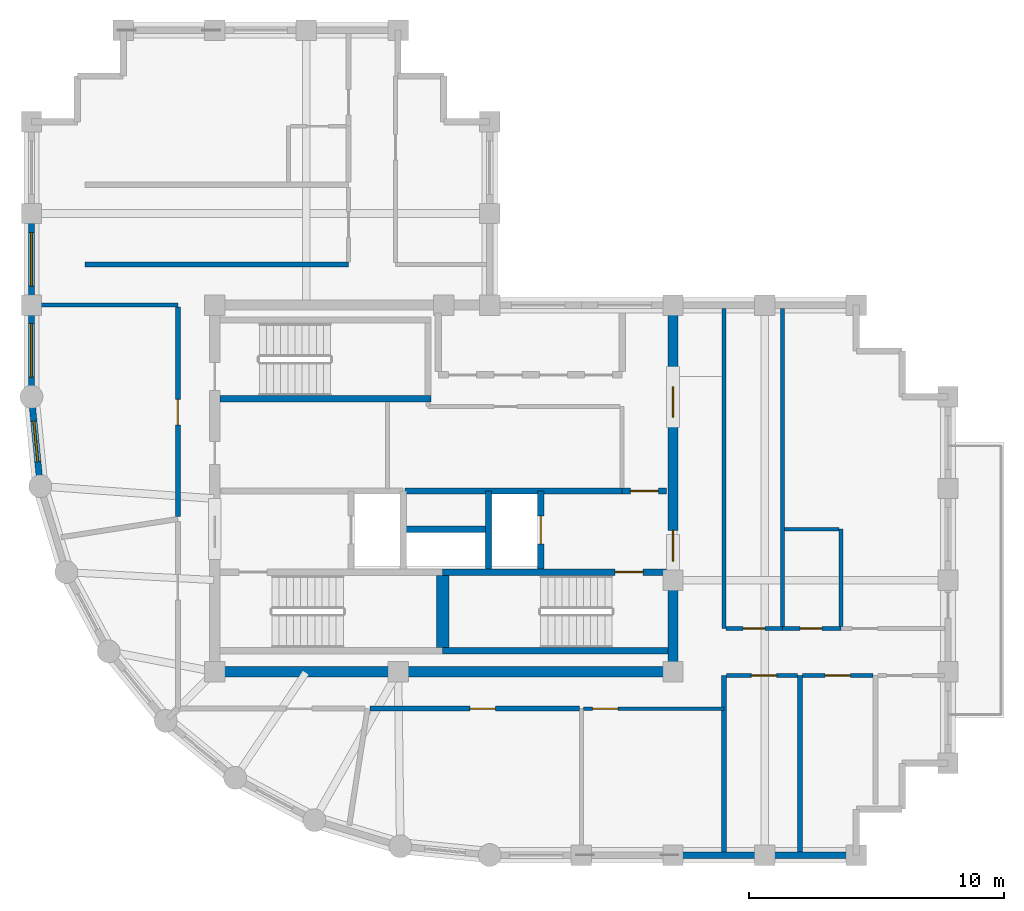
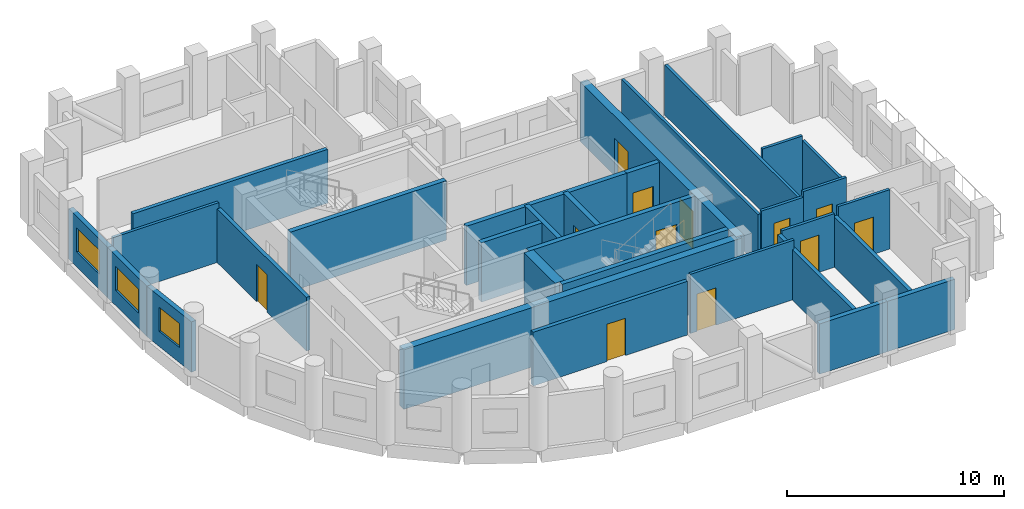
# One storey, part 3 of 6: 31 walls, 12 doors, 3 windows, 15 openings.
"""IFC4 building model written with IfcOpenShell, lengths in metres."""

from ifc_helpers import new_model, si_unit, direction, frame, frame_2d, origin, place, context, subcontext, project, spatial, rectangle, extrude, material, layer, layer_set, type_object, element, fill, save


model = new_model("IFC4")

# Units and contexts
model_context = context("Model", 3, precision=1e-05, world=origin(), true_north=direction((0.0, 1.0)))
body_context = subcontext(model_context, "Body", "Model", "MODEL_VIEW")
ifc_project = project(units=[si_unit("LENGTHUNIT", "METRE"), si_unit("AREAUNIT", "SQUARE_METRE"), si_unit("VOLUMEUNIT", "CUBIC_METRE"), si_unit("PLANEANGLEUNIT", "RADIAN"), si_unit("MASSUNIT", "GRAM", prefix="KILO")], contexts=[model_context])

# Site, building, storey
site_placement = place(None, origin())
site = spatial("IfcSite", under=ifc_project, at=site_placement, CompositionType="ELEMENT")
building_placement = place(site_placement, origin())
building = spatial("IfcBuilding", under=site, at=building_placement, Name="Solnavia Interchange Tower", CompositionType="ELEMENT")
storey_placement = place(building_placement, frame((0.0, 0.0, 224.60009765625)))
storey = spatial("IfcBuildingStorey", under=building, at=storey_placement, Name="L56", CompositionType="ELEMENT", Elevation=224.60009765625)

# Wall, opening, door
ifc_material_1 = material(Name="Gypsum Acoustic Twin-Stud & Mineral Wool", Category="gypsum")
ifc_layer_1 = layer(ifc_material_1, 0.199951171875)
ifc_layer_set_1 = layer_set([ifc_layer_1], Name="Gypsum Acoustic Twin-Stud & Mineral Wool")
wall_type_1 = type_object("IfcWallType", Name="Wall-ApartmentParty-200", PredefinedType="PARTITIONING", material=ifc_layer_set_1)
wall_1_placement = place(storey_placement, frame((12.949951171875, 16.904052734375, 0.0), z_axis=(0.0, 0.0, 1.0), x_axis=(0.0, 1.0, 0.0)))
wall_1 = element("IfcWall", 1, at=wall_1_placement, inside=storey, type_object=wall_type_1, Name="PTW-L56-12 Interior partition wall", PredefinedType="PARTITIONING", context=body_context, shape_type="SweptSolid", body=[
    extrude(rectangle(XDim=8.217041015625, YDim=0.199951171875, at=frame_2d((4.1083984375, 0.0))), origin(), (0.0, 0.0, 1.0), 3.02001953125),
])
opening_1_placement = place(wall_1_placement, frame((3.595947265625, 0.0, 0.0)))
opening_1 = element("IfcOpeningElement", 2, at=opening_1_placement, cuts=wall_1, Name="Opening DR-07", PredefinedType="OPENING", context=body_context, shape_type="SweptSolid", body=[
    extrude(rectangle(XDim=1.0, YDim=2.10009765625, at=frame_2d((0.5, 1.050048828125))), frame((0.0, 0.10986328125, 0.0), z_axis=(0.0, -1.0, 0.0), x_axis=(1.0, 0.0, 0.0)), (0.0, 0.0, 1.0), 0.219970703125),
])
ifc_material_2 = material(Name="Timber & Acoustic Glazed Office Door", Category="wood")
door_type_1 = type_object("IfcDoorType", Name="Door-Office-1000x2100", OperationType="SINGLE_SWING_RIGHT", PredefinedType="DOOR", material=ifc_material_2)
door_1_placement = place(opening_1_placement, origin())
door_1 = element("IfcDoor", 3, at=door_1_placement, inside=storey, type_object=door_type_1, Name="DR-L56-03 Interior room door", OperationType="SINGLE_SWING_LEFT", OverallHeight=2.10009765625, OverallWidth=1.0, PredefinedType="DOOR", context=body_context, shape_type="SweptSolid", body=[
    extrude(rectangle(XDim=1.0, YDim=2.10009765625, at=frame_2d((0.5, 1.050048828125))), frame((0.0, 0.02490234375, 0.0), z_axis=(0.0, -1.0, 0.0), x_axis=(1.0, 0.0, 0.0)), (0.0, 0.0, 1.0), 0.050048828125),
])
fill(opening_1, door_1)

wall_2_placement = place(storey_placement, frame((20.50390625, 9.35009765625, 0.0), z_axis=(0.0, 0.0, 1.0), x_axis=(1.0, 0.0, 0.0)))
wall_2 = element("IfcWall", 4, at=wall_2_placement, inside=storey, type_object=wall_type_1, Name="PTW-L56-15 Interior partition wall", PredefinedType="PARTITIONING", context=body_context, shape_type="SweptSolid", body=[
    extrude(rectangle(XDim=8.217041015625, YDim=0.199951171875, at=frame_2d((4.1083984375, 0.0))), origin(), (0.0, 0.0, 1.0), 3.02001953125),
])
opening_2_placement = place(wall_2_placement, frame((3.9140625, 0.0, 0.0)))
opening_2 = element("IfcOpeningElement", 5, at=opening_2_placement, cuts=wall_2, Name="Opening DR-07", PredefinedType="OPENING", context=body_context, shape_type="SweptSolid", body=[
    extrude(rectangle(XDim=1.0, YDim=2.10009765625, at=frame_2d((0.5, 1.050048828125))), frame((0.0, 0.10986328125, 0.0), z_axis=(0.0, -1.0, 0.0), x_axis=(1.0, 0.0, 0.0)), (0.0, 0.0, 1.0), 0.219970703125),
])
door_2_placement = place(opening_2_placement, origin())
door_2 = element("IfcDoor", 6, at=door_2_placement, inside=storey, type_object=door_type_1, Name="DR-L56-06 Interior room door", OperationType="SINGLE_SWING_RIGHT", OverallHeight=2.10009765625, OverallWidth=1.0, PredefinedType="DOOR", context=body_context, shape_type="SweptSolid", body=[
    extrude(rectangle(XDim=1.0, YDim=2.10009765625, at=frame_2d((0.5, 1.050048828125))), frame((0.0, 0.02490234375, 0.0), z_axis=(0.0, -1.0, 0.0), x_axis=(1.0, 0.0, 0.0)), (0.0, 0.0, 1.0), 0.050048828125),
])
fill(opening_2, door_2)

# Walls
for number, where, z_axis, x_axis, name in (
    (7, (34.39990234375, 3.72900390625, 0.0), (0.0, 0.0, 1.0), (0.0, 1.0, 0.0), "PTW-L56-17 Interior partition wall"),
    (8, (37.389892578125, 3.72900390625, 0.0), (0.0, 0.0, 1.0), (0.0, 1.0, 0.0), "PTW-L56-18 Interior partition wall"),
):
    element("IfcWall", number, at=place(storey_placement, frame(where, z_axis=z_axis, x_axis=x_axis)), inside=storey, type_object=wall_type_1, Name=name, PredefinedType="PARTITIONING", context=body_context, shape_type="SweptSolid", body=[
        extrude(rectangle(XDim=6.9208984375, YDim=0.199951171875, at=frame_2d((3.46044921875, 0.0))), origin(), (0.0, 0.0, 1.0), 2.829833984375),
    ])
wall_3_placement = place(storey_placement, frame((9.300048828125, 26.800048828125, 0.0), z_axis=(0.0, 0.0, 1.0), x_axis=(1.0, 0.0, 0.0)))
element("IfcWall", 9, at=wall_3_placement, inside=storey, type_object=wall_type_1, Name="PTW-L56-24 Interior partition wall", PredefinedType="PARTITIONING", context=body_context, shape_type="SweptSolid", body=[
    extrude(rectangle(XDim=10.349853515625, YDim=0.199951171875, at=frame_2d((5.1748046875, 0.0))), origin(), (0.0, 0.0, 1.0), 3.02978515625),
])
ifc_material_3 = material(Name="Concrete C40/50", Category="concrete")
ifc_layer_2 = layer(ifc_material_3, 0.25)
ifc_layer_set_2 = layer_set([ifc_layer_2], Name="Concrete C40/50")
wall_type_2 = type_object("IfcWallType", Name="Wall-ExtSpandrel-250", PredefinedType="STANDARD", material=ifc_layer_set_2)
for number, where, z_axis, x_axis, name in (
    (10, (36.0, 3.60009765625, 0.0), (0.0, 0.0, 1.0), (-1.0, 0.0, 0.0), "EXW-L56-03 Exterior precast spandrel wall"),
    (11, (39.60009765625, 3.60009765625, 0.0), (0.0, 0.0, 1.0), (-1.0, 0.0, 0.0), "EXW-L56-04 Exterior precast spandrel wall"),
):
    element("IfcWall", number, at=place(storey_placement, frame(where, z_axis=z_axis, x_axis=x_axis)), inside=storey, type_object=wall_type_2, Name=name, PredefinedType="STANDARD", context=body_context, shape_type="SweptSolid", body=[
        extrude(rectangle(XDim=3.60009765625, YDim=0.25, at=frame_2d((1.800048828125, 0.0))), origin(), (0.0, 0.0, 1.0), 2.829833984375),
    ])

# Wall, opening, window
wall_4_placement = place(storey_placement, frame((7.199951171875, 25.199951171875, 0.0), z_axis=(0.0, 0.0, 1.0), x_axis=(0.0, 1.0, 0.0)))
wall_4 = element("IfcWall", 12, at=wall_4_placement, inside=storey, type_object=wall_type_2, Name="EXW-L56-35 Exterior precast spandrel wall", PredefinedType="STANDARD", context=body_context, shape_type="SweptSolid", body=[
    extrude(rectangle(XDim=3.60009765625, YDim=0.25, at=frame_2d((1.800048828125, 0.0))), origin(), (0.0, 0.0, 1.0), 2.829833984375),
])
opening_3_placement = place(wall_4_placement, frame((0.75, 0.0, 0.85009765625)))
opening_3 = element("IfcOpeningElement", 13, at=opening_3_placement, cuts=wall_4, Name="Opening WIN-01", PredefinedType="OPENING", context=body_context, shape_type="SweptSolid", body=[
    extrude(rectangle(XDim=2.10009765625, YDim=1.35009765625, at=frame_2d((1.050048828125, 0.675048828125))), frame((0.0, 0.135009765625, 0.0), z_axis=(0.0, -1.0, 0.0), x_axis=(1.0, 0.0, 0.0)), (0.0, 0.0, 1.0), 0.27001953125),
])
ifc_material_4 = material(Name="Thermal-Break Aluminium & Low-E Glass", Category="aluminium")
window_type_1 = type_object("IfcWindowType", Name="Window-Ribbon-2100x1350", PartitioningType="SINGLE_PANEL", PredefinedType="WINDOW", material=ifc_material_4)
window_1_placement = place(opening_3_placement, origin())
window_1 = element("IfcWindow", 14, at=window_1_placement, inside=storey, type_object=window_type_1, Name="WIN-L56-35 Facade ribbon window", OverallHeight=1.35009765625, OverallWidth=2.10009765625, PartitioningType="SINGLE_PANEL", PredefinedType="WINDOW", context=body_context, shape_type="SweptSolid", body=[
    extrude(rectangle(XDim=2.10009765625, YDim=1.35009765625, at=frame_2d((1.050048828125, 0.675048828125))), frame((0.0, 0.030029296875, 0.0), z_axis=(0.0, -1.0, 0.0), x_axis=(1.0, 0.0, 0.0)), (0.0, 0.0, 1.0), 0.06005859375),
])
fill(opening_3, window_1)

wall_5_placement = place(storey_placement, frame((7.199951171875, 21.60009765625, 0.0), z_axis=(0.0, 0.0, 1.0), x_axis=(0.0, 1.0, 0.0)))
wall_5 = element("IfcWall", 15, at=wall_5_placement, inside=storey, type_object=wall_type_2, Name="EXW-L56-36 Exterior precast spandrel wall", PredefinedType="STANDARD", context=body_context, shape_type="SweptSolid", body=[
    extrude(rectangle(XDim=3.599853515625, YDim=0.25, at=frame_2d((1.7998046875, 0.0))), origin(), (0.0, 0.0, 1.0), 2.829833984375),
])
opening_4_placement = place(wall_5_placement, frame((0.77490234375, 0.0, 0.85009765625)))
opening_4 = element("IfcOpeningElement", 16, at=opening_4_placement, cuts=wall_5, Name="Opening WIN-01", PredefinedType="OPENING", context=body_context, shape_type="SweptSolid", body=[
    extrude(rectangle(XDim=2.10009765625, YDim=1.35009765625, at=frame_2d((1.050048828125, 0.675048828125))), frame((0.0, 0.135009765625, 0.0), z_axis=(0.0, -1.0, 0.0), x_axis=(1.0, 0.0, 0.0)), (0.0, 0.0, 1.0), 0.27001953125),
])
window_2_placement = place(opening_4_placement, origin())
window_2 = element("IfcWindow", 17, at=window_2_placement, inside=storey, type_object=window_type_1, Name="WIN-L56-36 Facade ribbon window", OverallHeight=1.35009765625, OverallWidth=2.10009765625, PartitioningType="SINGLE_PANEL", PredefinedType="WINDOW", context=body_context, shape_type="SweptSolid", body=[
    extrude(rectangle(XDim=2.10009765625, YDim=1.35009765625, at=frame_2d((1.050048828125, 0.675048828125))), frame((0.0, 0.030029296875, 0.0), z_axis=(0.0, -1.0, 0.0), x_axis=(1.0, 0.0, 0.0)), (0.0, 0.0, 1.0), 0.06005859375),
])
fill(opening_4, window_2)

wall_6_placement = place(storey_placement, frame((7.5458984375, 18.087890625, 0.0), z_axis=(0.0, 0.0, 1.0), x_axis=(-0.09802417461, 0.995184033831, 0.0)))
wall_6 = element("IfcWall", 18, at=wall_6_placement, inside=storey, type_object=wall_type_2, Name="EXW-L56-37 Exterior precast spandrel wall", PredefinedType="STANDARD", context=body_context, shape_type="SweptSolid", body=[
    extrude(rectangle(XDim=3.529296875, YDim=0.25, at=frame_2d((1.7646484375, 0.0))), origin(), (0.0, 0.0, 1.0), 2.829833984375),
])
opening_5_placement = place(wall_6_placement, frame((0.965087890625, 0.0, 0.85009765625)))
opening_5 = element("IfcOpeningElement", 19, at=opening_5_placement, cuts=wall_6, Name="Opening WIN-04", PredefinedType="OPENING", context=body_context, shape_type="SweptSolid", body=[
    extrude(rectangle(XDim=1.60009765625, YDim=1.35009765625, at=frame_2d((0.800048828125, 0.675048828125))), frame((0.0, 0.135009765625, 0.0), z_axis=(0.0, -1.0, 0.0), x_axis=(1.0, 0.0, 0.0)), (0.0, 0.0, 1.0), 0.27001953125),
])
window_type_2 = type_object("IfcWindowType", Name="Window-Drum-1600x1350", PartitioningType="SINGLE_PANEL", PredefinedType="WINDOW", material=ifc_material_4)
window_3_placement = place(opening_5_placement, origin())
window_3 = element("IfcWindow", 20, at=window_3_placement, inside=storey, type_object=window_type_2, Name="WIN-L56-37 Facade ribbon window", OverallHeight=1.35009765625, OverallWidth=1.60009765625, PartitioningType="SINGLE_PANEL", PredefinedType="WINDOW", context=body_context, shape_type="SweptSolid", body=[
    extrude(rectangle(XDim=1.60009765625, YDim=1.35009765625, at=frame_2d((0.800048828125, 0.675048828125))), frame((0.0, 0.030029296875, 0.0), z_axis=(0.0, -1.0, 0.0), x_axis=(1.0, 0.0, 0.0)), (0.0, 0.0, 1.0), 0.06005859375),
])
fill(opening_5, window_3)

# Wall
ifc_material_5 = material(Name="Gypsum Plasterboard & Steel Stud", Category="steel")
ifc_layer_3 = layer(ifc_material_5, 0.14990234375)
ifc_layer_set_3 = layer_set([ifc_layer_3], Name="Gypsum Plasterboard & Steel Stud")
wall_type_3 = type_object("IfcWallType", Name="Wall-Partition-150", PredefinedType="PARTITIONING", material=ifc_layer_set_3)
wall_7_placement = place(storey_placement, frame((7.3291015625, 25.199951171875, 0.0), z_axis=(0.0, 0.0, 1.0), x_axis=(1.0, 0.0, 0.0)))
element("IfcWall", 21, at=wall_7_placement, inside=storey, type_object=wall_type_3, Name="PTW-L56-07 Interior partition wall", PredefinedType="PARTITIONING", context=body_context, shape_type="SweptSolid", body=[
    extrude(rectangle(XDim=5.620849609375, YDim=0.14990234375, at=frame_2d((2.810546875, 0.0))), origin(), (0.0, 0.0, 1.0), 3.3349609375),
])

# Wall, opening, door
wall_8_placement = place(storey_placement, frame((28.87890625, 9.35009765625, 0.0), z_axis=(0.0, 0.0, 1.0), x_axis=(1.0, 0.0, 0.0)))
wall_8 = element("IfcWall", 22, at=wall_8_placement, inside=storey, type_object=wall_type_3, Name="PTW-L56-16 Interior partition wall", PredefinedType="PARTITIONING", context=body_context, shape_type="SweptSolid", body=[
    extrude(rectangle(XDim=5.52099609375, YDim=0.14990234375, at=frame_2d((2.760498046875, 0.0))), origin(), (0.0, 0.0, 1.0), 3.3349609375),
])
opening_6_placement = place(wall_8_placement, frame((0.360107421875, 0.0, 0.0)))
opening_6 = element("IfcOpeningElement", 23, at=opening_6_placement, cuts=wall_8, Name="Opening DR-07", PredefinedType="OPENING", context=body_context, shape_type="SweptSolid", body=[
    extrude(rectangle(XDim=1.0, YDim=2.10009765625, at=frame_2d((0.5, 1.050048828125))), frame((0.0, 0.0849609375, 0.0), z_axis=(0.0, -1.0, 0.0), x_axis=(1.0, 0.0, 0.0)), (0.0, 0.0, 1.0), 0.169921875),
])
door_3_placement = place(opening_6_placement, origin())
door_3 = element("IfcDoor", 24, at=door_3_placement, inside=storey, type_object=door_type_1, Name="DR-L56-07 Interior room door", OperationType="SINGLE_SWING_LEFT", OverallHeight=2.10009765625, OverallWidth=1.0, PredefinedType="DOOR", context=body_context, shape_type="SweptSolid", body=[
    extrude(rectangle(XDim=1.0, YDim=2.10009765625, at=frame_2d((0.5, 1.050048828125))), frame((0.0, 0.02490234375, 0.0), z_axis=(0.0, -1.0, 0.0), x_axis=(1.0, 0.0, 0.0)), (0.0, 0.0, 1.0), 0.050048828125),
])
fill(opening_6, door_3)

wall_9_placement = place(storey_placement, frame((34.50390625, 10.64990234375, 0.0), z_axis=(0.0, 0.0, 1.0), x_axis=(1.0, 0.0, 0.0)))
wall_9 = element("IfcWall", 25, at=wall_9_placement, inside=storey, type_object=wall_type_3, Name="PTW-L56-19 Interior partition wall", PredefinedType="PARTITIONING", context=body_context, shape_type="SweptSolid", body=[
    extrude(rectangle(XDim=2.781982421875, YDim=0.14990234375, at=frame_2d((1.39111328125, 0.0))), origin(), (0.0, 0.0, 1.0), 3.02001953125),
])
opening_7_placement = place(wall_9_placement, frame((0.969970703125, 0.0, 0.0)))
opening_7 = element("IfcOpeningElement", 26, at=opening_7_placement, cuts=wall_9, Name="Opening DR-07", PredefinedType="OPENING", context=body_context, shape_type="SweptSolid", body=[
    extrude(rectangle(XDim=1.0, YDim=2.10009765625, at=frame_2d((0.5, 1.050048828125))), frame((0.0, 0.0849609375, 0.0), z_axis=(0.0, -1.0, 0.0), x_axis=(1.0, 0.0, 0.0)), (0.0, 0.0, 1.0), 0.169921875),
])
door_4_placement = place(opening_7_placement, origin())
door_4 = element("IfcDoor", 27, at=door_4_placement, inside=storey, type_object=door_type_1, Name="DR-L56-08 Interior room door", OperationType="SINGLE_SWING_LEFT", OverallHeight=2.10009765625, OverallWidth=1.0, PredefinedType="DOOR", context=body_context, shape_type="SweptSolid", body=[
    extrude(rectangle(XDim=1.0, YDim=2.10009765625, at=frame_2d((0.5, 1.050048828125))), frame((0.0, 0.02490234375, 0.0), z_axis=(0.0, -1.0, 0.0), x_axis=(1.0, 0.0, 0.0)), (0.0, 0.0, 1.0), 0.050048828125),
])
fill(opening_7, door_4)

wall_10_placement = place(storey_placement, frame((37.493896484375, 10.64990234375, 0.0), z_axis=(0.0, 0.0, 1.0), x_axis=(1.0, 0.0, 0.0)))
wall_10 = element("IfcWall", 28, at=wall_10_placement, inside=storey, type_object=wall_type_3, Name="PTW-L56-21 Interior partition wall", PredefinedType="PARTITIONING", context=body_context, shape_type="SweptSolid", body=[
    extrude(rectangle(XDim=2.752197265625, YDim=0.14990234375, at=frame_2d((1.3759765625, 0.0))), origin(), (0.0, 0.0, 1.0), 3.3349609375),
])
opening_8_placement = place(wall_10_placement, frame((0.8759765625, 0.0, 0.0)))
opening_8 = element("IfcOpeningElement", 29, at=opening_8_placement, cuts=wall_10, Name="Opening DR-07", PredefinedType="OPENING", context=body_context, shape_type="SweptSolid", body=[
    extrude(rectangle(XDim=1.0, YDim=2.10009765625, at=frame_2d((0.5, 1.050048828125))), frame((0.0, 0.0849609375, 0.0), z_axis=(0.0, -1.0, 0.0), x_axis=(1.0, 0.0, 0.0)), (0.0, 0.0, 1.0), 0.169921875),
])
door_5_placement = place(opening_8_placement, origin())
door_5 = element("IfcDoor", 30, at=door_5_placement, inside=storey, type_object=door_type_1, Name="DR-L56-09 Interior room door", OperationType="SINGLE_SWING_RIGHT", OverallHeight=2.10009765625, OverallWidth=1.0, PredefinedType="DOOR", context=body_context, shape_type="SweptSolid", body=[
    extrude(rectangle(XDim=1.0, YDim=2.10009765625, at=frame_2d((0.5, 1.050048828125))), frame((0.0, 0.02490234375, 0.0), z_axis=(0.0, -1.0, 0.0), x_axis=(1.0, 0.0, 0.0)), (0.0, 0.0, 1.0), 0.050048828125),
])
fill(opening_8, door_5)

# Wall
ifc_layer_4 = layer(ifc_material_3, 0.25)
ifc_layer_set_4 = layer_set([ifc_layer_4], Name="Concrete C40/50")
wall_type_4 = type_object("IfcWallType", Name="Wall-ShaftCore-250", PredefinedType="SHEAR", material=ifc_layer_set_4)
wall_11_placement = place(storey_placement, frame((23.35009765625, 11.625, 0.0), z_axis=(0.0, 0.0, 1.0), x_axis=(1.0, 0.0, 0.0)))
element("IfcWall", 31, at=wall_11_placement, inside=storey, type_object=wall_type_4, Name="SHW-L56-ST2S Core shear wall", PredefinedType="SHEAR", context=body_context, shape_type="SweptSolid", body=[
    extrude(rectangle(XDim=8.849853515625, YDim=0.25, at=frame_2d((4.4248046875, 0.0))), origin(), (0.0, 0.0, 1.0), 3.349853515625),
])

# Wall, opening, door
wall_12_placement = place(storey_placement, frame((23.35009765625, 14.715087890625, 0.0), z_axis=(0.0, 0.0, 1.0), x_axis=(1.0, 0.0, 0.0)))
wall_12 = element("IfcWall", 32, at=wall_12_placement, inside=storey, type_object=wall_type_4, Name="SHW-L56-ST2N Core shear wall", PredefinedType="SHEAR", context=body_context, shape_type="SweptSolid", body=[
    extrude(rectangle(XDim=8.849853515625, YDim=0.25, at=frame_2d((4.4248046875, 0.0))), origin(), (0.0, 0.0, 1.0), 3.349853515625),
])
opening_9_placement = place(wall_12_placement, frame((6.77490234375, 0.0, 0.0)))
opening_9 = element("IfcOpeningElement", 33, at=opening_9_placement, cuts=wall_12, Name="Opening DR-01", PredefinedType="OPENING", context=body_context, shape_type="SweptSolid", body=[
    extrude(rectangle(XDim=1.10009765625, YDim=2.10009765625, at=frame_2d((0.550048828125, 1.050048828125))), frame((0.0, 0.135009765625, 0.0), z_axis=(0.0, -1.0, 0.0), x_axis=(1.0, 0.0, 0.0)), (0.0, 0.0, 1.0), 0.27001953125),
])
ifc_material_6 = material(Name="Steel Fire-Rated Leaf & Frame", Category="steel")
door_type_2 = type_object("IfcDoorType", Name="Door-StairFire-1100x2100", OperationType="SINGLE_SWING_LEFT", PredefinedType="DOOR", material=ifc_material_6)
door_6_placement = place(opening_9_placement, origin())
door_6 = element("IfcDoor", 34, at=door_6_placement, inside=storey, type_object=door_type_2, Name="DR-L56-ST2 Core fire door", OperationType="SINGLE_SWING_LEFT", OverallHeight=2.10009765625, OverallWidth=1.10009765625, PredefinedType="DOOR", context=body_context, shape_type="SweptSolid", body=[
    extrude(rectangle(XDim=1.10009765625, YDim=2.10009765625, at=frame_2d((0.550048828125, 1.050048828125))), frame((0.0, 0.02490234375, 0.0), z_axis=(0.0, -1.0, 0.0), x_axis=(1.0, 0.0, 0.0)), (0.0, 0.0, 1.0), 0.050048828125),
])
fill(opening_9, door_6)

# Walls
wall_13_placement = place(storey_placement, frame((14.60009765625, 21.52490234375, 0.0), z_axis=(0.0, 0.0, 1.0), x_axis=(1.0, 0.0, 0.0)))
element("IfcWall", 35, at=wall_13_placement, inside=storey, type_object=wall_type_4, Name="SHW-L56-ST3S Core shear wall", PredefinedType="SHEAR", context=body_context, shape_type="SweptSolid", body=[
    extrude(rectangle(XDim=8.2998046875, YDim=0.25, at=frame_2d((4.14990234375, 0.0))), origin(), (0.0, 0.0, 1.0), 3.349853515625),
])
ifc_layer_5 = layer(ifc_material_3, 0.25)
ifc_layer_set_5 = layer_set([ifc_layer_5], Name="Concrete C40/50")
wall_type_5 = type_object("IfcWallType", Name="Wall-ShaftPart-250", PredefinedType="PARTITIONING", material=ifc_layer_set_5)
wall_14_placement = place(storey_placement, frame((21.8798828125, 17.89990234375, 0.0), z_axis=(0.0, 0.0, 1.0), x_axis=(1.0, 0.0, 0.0)))
element("IfcWall", 36, at=wall_14_placement, inside=storey, type_object=wall_type_5, Name="SHW-L56-FFLE-N1 Core shaft wall", PredefinedType="PARTITIONING", context=body_context, shape_type="SweptSolid", body=[
    extrude(rectangle(XDim=8.52001953125, YDim=0.25, at=frame_2d((4.260009765625, 0.0))), origin(), (0.0, 0.0, 1.0), 3.3349609375),
])

# Wall, opening, door
wall_15_placement = place(storey_placement, frame((30.39990234375, 17.89990234375, 0.0), z_axis=(0.0, 0.0, 1.0), x_axis=(1.0, 0.0, 0.0)))
wall_15 = element("IfcWall", 37, at=wall_15_placement, inside=storey, type_object=wall_type_5, Name="SHW-L56-FFLE-N2 Core shaft wall", PredefinedType="PARTITIONING", context=body_context, shape_type="SweptSolid", body=[
    extrude(rectangle(XDim=1.75, YDim=0.25, at=frame_2d((0.875, 0.0))), origin(), (0.0, 0.0, 1.0), 3.3349609375),
])
opening_10_placement = place(wall_15_placement, frame((0.320068359375, 0.0, 0.0)))
opening_10 = element("IfcOpeningElement", 38, at=opening_10_placement, cuts=wall_15, Name="Opening DR-01", PredefinedType="OPENING", context=body_context, shape_type="SweptSolid", body=[
    extrude(rectangle(XDim=1.10009765625, YDim=2.10009765625, at=frame_2d((0.550048828125, 1.050048828125))), frame((0.0, 0.135009765625, 0.0), z_axis=(0.0, -1.0, 0.0), x_axis=(1.0, 0.0, 0.0)), (0.0, 0.0, 1.0), 0.27001953125),
])
door_7_placement = place(opening_10_placement, origin())
door_7 = element("IfcDoor", 39, at=door_7_placement, inside=storey, type_object=door_type_2, Name="DR-L56-LLC Core fire door", OperationType="SINGLE_SWING_LEFT", OverallHeight=2.10009765625, OverallWidth=1.10009765625, PredefinedType="DOOR", context=body_context, shape_type="SweptSolid", body=[
    extrude(rectangle(XDim=1.10009765625, YDim=2.10009765625, at=frame_2d((0.550048828125, 1.050048828125))), frame((0.0, 0.02490234375, 0.0), z_axis=(0.0, -1.0, 0.0), x_axis=(1.0, 0.0, 0.0)), (0.0, 0.0, 1.0), 0.050048828125),
])
fill(opening_10, door_7)

# Wall
wall_16_placement = place(storey_placement, frame((25.14990234375, 14.840087890625, 0.0), z_axis=(0.0, 0.0, 1.0), x_axis=(0.0, 1.0, 0.0)))
element("IfcWall", 40, at=wall_16_placement, inside=storey, type_object=wall_type_5, Name="SHW-L56-FFL2-W Core shaft wall", PredefinedType="PARTITIONING", context=body_context, shape_type="SweptSolid", body=[
    extrude(rectangle(XDim=3.059814453125, YDim=0.25, at=frame_2d((1.52978515625, 0.0))), origin(), (0.0, 0.0, 1.0), 3.3349609375),
])

# Wall, opening, door
wall_17_placement = place(storey_placement, frame((27.199951171875, 14.840087890625, 0.0), z_axis=(0.0, 0.0, 1.0), x_axis=(0.0, 1.0, 0.0)))
wall_17 = element("IfcWall", 41, at=wall_17_placement, inside=storey, type_object=wall_type_5, Name="SHW-L56-FFL2-E Core shaft wall", PredefinedType="PARTITIONING", context=body_context, shape_type="SweptSolid", body=[
    extrude(rectangle(XDim=3.059814453125, YDim=0.25, at=frame_2d((1.52978515625, 0.0))), origin(), (0.0, 0.0, 1.0), 3.3349609375),
])
opening_11_placement = place(wall_17_placement, frame((0.97998046875, 0.0, 0.0)))
opening_11 = element("IfcOpeningElement", 42, at=opening_11_placement, cuts=wall_17, Name="Opening LD-01", PredefinedType="OPENING", context=body_context, shape_type="SweptSolid", body=[
    extrude(rectangle(XDim=1.10009765625, YDim=2.10009765625, at=frame_2d((0.550048828125, 1.050048828125))), frame((0.0, 0.135009765625, 0.0), z_axis=(0.0, -1.0, 0.0), x_axis=(1.0, 0.0, 0.0)), (0.0, 0.0, 1.0), 0.27001953125),
])
ifc_material_7 = material(Name="Brushed Stainless Steel Sliding Door", Category="steel")
door_type_3 = type_object("IfcDoorType", Name="Door-LiftLanding-1100x2100", OperationType="SLIDING_TO_LEFT", PredefinedType="DOOR", material=ifc_material_7)
door_8_placement = place(opening_11_placement, origin())
door_8 = element("IfcDoor", 43, at=door_8_placement, inside=storey, type_object=door_type_3, Name="LD-L56-FFL2 Lift landing sliding door", OperationType="SLIDING_TO_LEFT", OverallHeight=2.10009765625, OverallWidth=1.10009765625, PredefinedType="DOOR", context=body_context, shape_type="SweptSolid", body=[
    extrude(rectangle(XDim=1.10009765625, YDim=2.10009765625, at=frame_2d((0.550048828125, 1.050048828125))), frame((0.0, 0.02490234375, 0.0), z_axis=(0.0, -1.0, 0.0), x_axis=(1.0, 0.0, 0.0)), (0.0, 0.0, 1.0), 0.050048828125),
])
fill(opening_11, door_8)

# Walls
wall_18_placement = place(storey_placement, frame((21.800048828125, 16.39990234375, 0.0), z_axis=(0.0, 0.0, 1.0), x_axis=(1.0, 0.0, 0.0)))
element("IfcWall", 44, at=wall_18_placement, inside=storey, type_object=wall_type_5, Name="SHW-L56-MEP-N Core shaft wall", PredefinedType="PARTITIONING", context=body_context, shape_type="SweptSolid", body=[
    extrude(rectangle(XDim=3.349853515625, YDim=0.25, at=frame_2d((1.6748046875, 0.0))), origin(), (0.0, 0.0, 1.0), 3.3349609375),
])
ifc_material_8 = material(Name="Concrete C50/60", Category="concrete")
ifc_layer_6 = layer(ifc_material_8, 0.39990234375)
ifc_layer_set_6 = layer_set([ifc_layer_6], Name="Concrete C50/60")
wall_type_6 = type_object("IfcWallType", Name="Wall-ShearCore-400", PredefinedType="SHEAR", material=ifc_layer_set_6)
wall_19_placement = place(storey_placement, frame((14.39990234375, 10.800048828125, 0.0), z_axis=(0.0, 0.0, 1.0), x_axis=(1.0, 0.0, 0.0)))
element("IfcWall", 45, at=wall_19_placement, inside=storey, type_object=wall_type_6, Name="CRW-L56-S Core shear wall", PredefinedType="SHEAR", context=body_context, shape_type="SweptSolid", body=[
    extrude(rectangle(XDim=18.0, YDim=0.39990234375, at=frame_2d((9.0, 0.0))), origin(), (0.0, 0.0, 1.0), 3.349853515625),
])

# Wall, openings, doors
wall_20_placement = place(storey_placement, frame((32.39990234375, 10.800048828125, 0.0), z_axis=(0.0, 0.0, 1.0), x_axis=(0.0, 1.0, 0.0)))
wall_20 = element("IfcWall", 46, at=wall_20_placement, inside=storey, type_object=wall_type_6, Name="CRW-L56-E Core shear wall", PredefinedType="SHEAR", context=body_context, shape_type="SweptSolid", body=[
    extrude(rectangle(XDim=14.39990234375, YDim=0.39990234375, at=frame_2d((7.199951171875, 0.0))), origin(), (0.0, 0.0, 1.0), 3.349853515625),
])
opening_12_placement = place(wall_20_placement, frame((4.35009765625, 0.0, 0.0)))
opening_12 = element("IfcOpeningElement", 47, at=opening_12_placement, cuts=wall_20, Name="Opening DR-02", PredefinedType="OPENING", context=body_context, shape_type="SweptSolid", body=[
    extrude(rectangle(XDim=1.199951171875, YDim=2.10009765625, at=frame_2d((0.60009765625, 1.050048828125))), frame((0.0, 0.2099609375, 0.0), z_axis=(0.0, -1.0, 0.0), x_axis=(1.0, 0.0, 0.0)), (0.0, 0.0, 1.0), 0.419921875),
])
opening_13_placement = place(wall_20_placement, frame((10.0, 0.0, 0.0)))
opening_13 = element("IfcOpeningElement", 48, at=opening_13_placement, cuts=wall_20, Name="Opening DR-02", PredefinedType="OPENING", context=body_context, shape_type="SweptSolid", body=[
    extrude(rectangle(XDim=1.199951171875, YDim=2.10009765625, at=frame_2d((0.60009765625, 1.050048828125))), frame((0.0, 0.2099609375, 0.0), z_axis=(0.0, -1.0, 0.0), x_axis=(1.0, 0.0, 0.0)), (0.0, 0.0, 1.0), 0.419921875),
])
ifc_material_9 = material(Name="Steel Fire-Rated Vision-Panel Door", Category="steel")
door_type_4 = type_object("IfcDoorType", Name="Door-LobbyFire-1200x2100", OperationType="SINGLE_SWING_RIGHT", PredefinedType="DOOR", material=ifc_material_9)
door_9_placement = place(opening_12_placement, origin())
door_9 = element("IfcDoor", 49, at=door_9_placement, inside=storey, type_object=door_type_4, Name="DR-L56-FFL2E Core fire door", OperationType="SINGLE_SWING_LEFT", OverallHeight=2.10009765625, OverallWidth=1.199951171875, PredefinedType="DOOR", context=body_context, shape_type="SweptSolid", body=[
    extrude(rectangle(XDim=1.199951171875, YDim=2.10009765625, at=frame_2d((0.60009765625, 1.050048828125))), frame((0.0, 0.02490234375, 0.0), z_axis=(0.0, -1.0, 0.0), x_axis=(1.0, 0.0, 0.0)), (0.0, 0.0, 1.0), 0.050048828125),
])
fill(opening_12, door_9)
door_10_placement = place(opening_13_placement, origin())
door_10 = element("IfcDoor", 50, at=door_10_placement, inside=storey, type_object=door_type_4, Name="DR-L56-LLE Core fire door", OperationType="SINGLE_SWING_RIGHT", OverallHeight=2.10009765625, OverallWidth=1.199951171875, PredefinedType="DOOR", context=body_context, shape_type="SweptSolid", body=[
    extrude(rectangle(XDim=1.199951171875, YDim=2.10009765625, at=frame_2d((0.60009765625, 1.050048828125))), frame((0.0, 0.02490234375, 0.0), z_axis=(0.0, -1.0, 0.0), x_axis=(1.0, 0.0, 0.0)), (0.0, 0.0, 1.0), 0.050048828125),
])
fill(opening_13, door_10)

# Walls
ifc_material_10 = material(Name="Concrete C60/75", Category="concrete")
ifc_layer_7 = layer(ifc_material_10, 0.5)
ifc_layer_set_7 = layer_set([ifc_layer_7], Name="Concrete C60/75")
wall_type_7 = type_object("IfcWallType", Name="Wall-ShearCore-500", PredefinedType="SHEAR", material=ifc_layer_set_7)
wall_21_placement = place(storey_placement, frame((23.35009765625, 11.75, 0.0), z_axis=(0.0, 0.0, 1.0), x_axis=(0.0, 1.0, 0.0)))
element("IfcWall", 51, at=wall_21_placement, inside=storey, type_object=wall_type_7, Name="SHW-L56-ST12M Core shear wall", PredefinedType="SHEAR", context=body_context, shape_type="SweptSolid", body=[
    extrude(rectangle(XDim=2.840087890625, YDim=0.5, at=frame_2d((1.419921875, 0.0))), origin(), (0.0, 0.0, 1.0), 3.349853515625),
])
ifc_material_11 = material(Name="Moisture-Resistant Gypsum & Steel Stud", Category="steel")
ifc_layer_8 = layer(ifc_material_11, 0.14990234375)
ifc_layer_set_8 = layer_set([ifc_layer_8], Name="Moisture-Resistant Gypsum & Steel Stud")
wall_type_8 = type_object("IfcWallType", Name="Wall-WetRoom-150", PredefinedType="PARTITIONING", material=ifc_layer_set_8)
wall_22_placement = place(storey_placement, frame((34.39990234375, 12.5, 0.0), z_axis=(0.0, 0.0, 1.0), x_axis=(0.0, 1.0, 0.0)))
element("IfcWall", 52, at=wall_22_placement, inside=storey, type_object=wall_type_8, Name="PTW-L56-01 Interior partition wall", PredefinedType="PARTITIONING", context=body_context, shape_type="SweptSolid", body=[
    extrude(rectangle(XDim=12.571044921875, YDim=0.14990234375, at=frame_2d((6.28564453125, 0.0))), origin(), (0.0, 0.0, 1.0), 2.829833984375),
])

# Wall, opening, door
wall_23_placement = place(storey_placement, frame((34.47900390625, 12.5, 0.0), z_axis=(0.0, 0.0, 1.0), x_axis=(1.0, 0.0, 0.0)))
wall_23 = element("IfcWall", 53, at=wall_23_placement, inside=storey, type_object=wall_type_8, Name="PTW-L56-02 Interior partition wall", PredefinedType="PARTITIONING", context=body_context, shape_type="SweptSolid", body=[
    extrude(rectangle(XDim=2.220947265625, YDim=0.14990234375, at=frame_2d((1.1103515625, 0.0))), origin(), (0.0, 0.0, 1.0), 3.02001953125),
])
opening_14_placement = place(wall_23_placement, frame((0.674072265625, 0.0, 0.0)))
opening_14 = element("IfcOpeningElement", 54, at=opening_14_placement, cuts=wall_23, Name="Opening DR-10", PredefinedType="OPENING", context=body_context, shape_type="SweptSolid", body=[
    extrude(rectangle(XDim=0.85009765625, YDim=2.10009765625, at=frame_2d((0.425048828125, 1.050048828125))), frame((0.0, 0.0849609375, 0.0), z_axis=(0.0, -1.0, 0.0), x_axis=(1.0, 0.0, 0.0)), (0.0, 0.0, 1.0), 0.169921875),
])
ifc_material_12 = material(Name="Moisture-Resistant Timber Door", Category="wood")
door_type_5 = type_object("IfcDoorType", Name="Door-Bathroom-850x2100", OperationType="SINGLE_SWING_RIGHT", PredefinedType="DOOR", material=ifc_material_12)
door_11_placement = place(opening_14_placement, origin())
door_11 = element("IfcDoor", 55, at=door_11_placement, inside=storey, type_object=door_type_5, Name="DR-L56-01 Interior room door", OperationType="SINGLE_SWING_LEFT", OverallHeight=2.10009765625, OverallWidth=0.85009765625, PredefinedType="DOOR", context=body_context, shape_type="SweptSolid", body=[
    extrude(rectangle(XDim=0.85009765625, YDim=2.10009765625, at=frame_2d((0.425048828125, 1.050048828125))), frame((0.0, 0.02490234375, 0.0), z_axis=(0.0, -1.0, 0.0), x_axis=(1.0, 0.0, 0.0)), (0.0, 0.0, 1.0), 0.050048828125),
])
fill(opening_14, door_11)

# Wall
wall_24_placement = place(storey_placement, frame((36.699951171875, 12.5791015625, 0.0), z_axis=(0.0, 0.0, 1.0), x_axis=(0.0, 1.0, 0.0)))
element("IfcWall", 56, at=wall_24_placement, inside=storey, type_object=wall_type_8, Name="PTW-L56-03 Interior partition wall", PredefinedType="PARTITIONING", context=body_context, shape_type="SweptSolid", body=[
    extrude(rectangle(XDim=12.491943359375, YDim=0.14990234375, at=frame_2d((6.24609375, 0.0))), origin(), (0.0, 0.0, 1.0), 2.829833984375),
])

# Wall, opening, door
wall_25_placement = place(storey_placement, frame((36.699951171875, 12.5, 0.0), z_axis=(0.0, 0.0, 1.0), x_axis=(1.0, 0.0, 0.0)))
wall_25 = element("IfcWall", 57, at=wall_25_placement, inside=storey, type_object=wall_type_8, Name="PTW-L56-04 Interior partition wall", PredefinedType="PARTITIONING", context=body_context, shape_type="SweptSolid", body=[
    extrude(rectangle(XDim=2.300048828125, YDim=0.14990234375, at=frame_2d((1.14990234375, 0.0))), origin(), (0.0, 0.0, 1.0), 3.3349609375),
])
opening_15_placement = place(wall_25_placement, frame((0.697021484375, 0.0, 0.0)))
opening_15 = element("IfcOpeningElement", 58, at=opening_15_placement, cuts=wall_25, Name="Opening DR-10", PredefinedType="OPENING", context=body_context, shape_type="SweptSolid", body=[
    extrude(rectangle(XDim=0.85009765625, YDim=2.10009765625, at=frame_2d((0.425048828125, 1.050048828125))), frame((0.0, 0.0849609375, 0.0), z_axis=(0.0, -1.0, 0.0), x_axis=(1.0, 0.0, 0.0)), (0.0, 0.0, 1.0), 0.169921875),
])
door_12_placement = place(opening_15_placement, origin())
door_12 = element("IfcDoor", 59, at=door_12_placement, inside=storey, type_object=door_type_5, Name="DR-L56-02 Interior room door", OperationType="SINGLE_SWING_RIGHT", OverallHeight=2.10009765625, OverallWidth=0.85009765625, PredefinedType="DOOR", context=body_context, shape_type="SweptSolid", body=[
    extrude(rectangle(XDim=0.85009765625, YDim=2.10009765625, at=frame_2d((0.425048828125, 1.050048828125))), frame((0.0, 0.02490234375, 0.0), z_axis=(0.0, -1.0, 0.0), x_axis=(1.0, 0.0, 0.0)), (0.0, 0.0, 1.0), 0.050048828125),
])
fill(opening_15, door_12)

# Walls
wall_26_placement = place(storey_placement, frame((39.0, 12.5791015625, 0.0), z_axis=(0.0, 0.0, 1.0), x_axis=(0.0, 1.0, 0.0)))
element("IfcWall", 60, at=wall_26_placement, inside=storey, type_object=wall_type_8, Name="PTW-L56-05 Interior partition wall", PredefinedType="PARTITIONING", context=body_context, shape_type="SweptSolid", body=[
    extrude(rectangle(XDim=3.82080078125, YDim=0.14990234375, at=frame_2d((1.910400390625, 0.0))), origin(), (0.0, 0.0, 1.0), 3.02978515625),
])
wall_27_placement = place(storey_placement, frame((36.779052734375, 16.39990234375, 0.0), z_axis=(0.0, 0.0, 1.0), x_axis=(1.0, 0.0, 0.0)))
element("IfcWall", 61, at=wall_27_placement, inside=storey, type_object=wall_type_8, Name="PTW-L56-06 Interior partition wall", PredefinedType="PARTITIONING", context=body_context, shape_type="SweptSolid", body=[
    extrude(rectangle(XDim=2.141845703125, YDim=0.14990234375, at=frame_2d((1.07080078125, 0.0))), origin(), (0.0, 0.0, 1.0), 3.3349609375),
])

save(model, "model.ifc")
